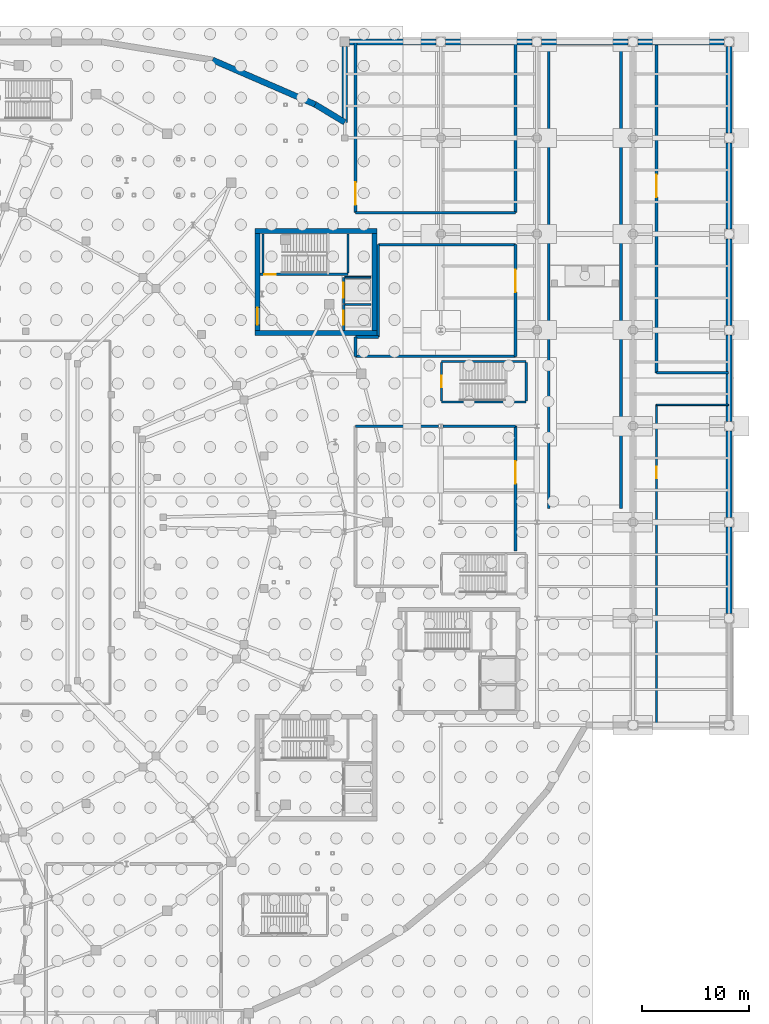
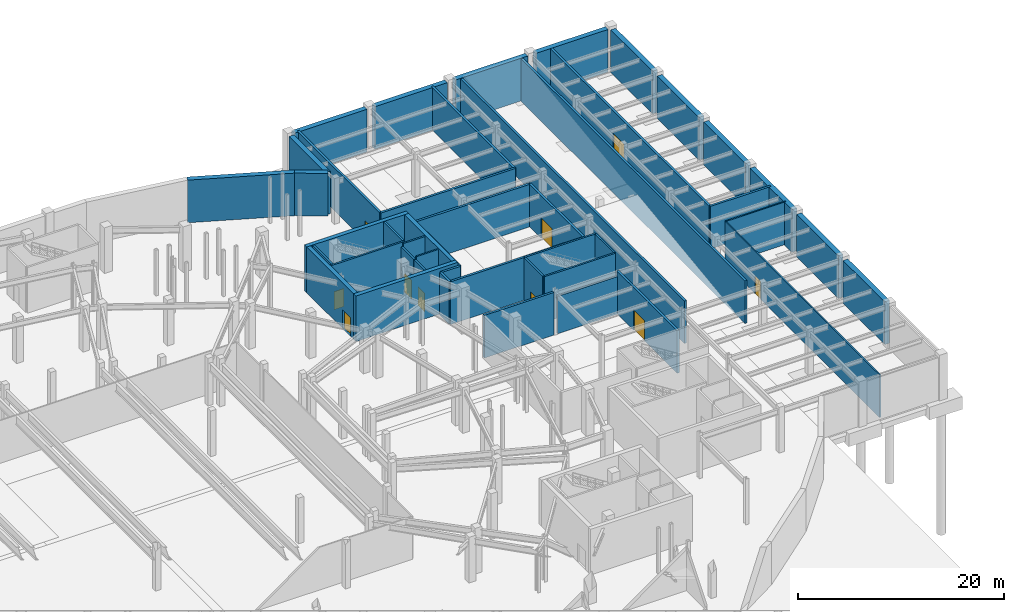
# One storey, part 48 of 56: 46 walls, 10 doors, 10 openings.
"""IFC4 building model written with IfcOpenShell, lengths in metres."""

import ifcopenshell
import ifcopenshell.guid

model = None  # the IFC model being written
_history = None  # IfcOwnerHistory: only IFC2X3 demands one
_inside = {}  # id of a spatial element -> (the spatial element, [elements in it])
_under = {}  # id of a project, library or spatial element -> (it, [spatial elements below it])
_declared = {}  # id of a project -> (the project, [libraries it declares])
_typed = {}  # id of a type object -> (the type object, [elements of that type])
_made_of = {}  # id of a material, layer set ... -> (it, [elements and type objects made of it])


def new_model(schema):
    """Start an empty IFC model of exactly this schema.

    Asked for "IFC4X3", IfcOpenShell would pick the latest addendum, in which some entities
    have other attributes; the version numbers below select the first issue.
    IFC2X3 requires an IfcOwnerHistory on every rooted entity: one is made here for all.
    """
    global model, _history
    if schema == "IFC4X3":
        model = ifcopenshell.file(schema_version=(4, 3, 0, 0))
    else:
        model = ifcopenshell.file(schema=schema)
    _inside.clear()
    _under.clear()
    _declared.clear()
    _typed.clear()
    _made_of.clear()
    _history = None
    if model.schema == "IFC2X3":
        org = make("IfcOrganization", Name="unknown")
        user = make(
            "IfcPersonAndOrganization",
            ThePerson=make("IfcPerson", FamilyName="unknown"),
            TheOrganization=org,
        )
        app = make(
            "IfcApplication",
            ApplicationDeveloper=org,
            Version="unknown",
            ApplicationFullName="unknown",
            ApplicationIdentifier="unknown",
        )
        _history = make(
            "IfcOwnerHistory",
            OwningUser=user,
            OwningApplication=app,
            ChangeAction="ADDED",
            CreationDate=0,
        )
    return model


def make(cls, **values):
    """One entity of the class cls with the attributes given. An attribute that is None is left unset."""
    return model.create_entity(
        cls, **{name: value for name, value in values.items() if value is not None}
    )


def rooted(cls, **values):
    """An entity with a GlobalId (a new one), such as an element, a storey or a relation."""
    return make(cls, GlobalId=ifcopenshell.guid.new(), OwnerHistory=_history, **values)


def si_unit(unit_type, name, prefix=None):
    """IfcSIUnit, for example si_unit("LENGTHUNIT", "METRE", prefix="MILLI")."""
    return make("IfcSIUnit", UnitType=unit_type, Prefix=prefix, Name=name)


def assignment(units):
    """IfcUnitAssignment: the units of a project."""
    return None if units is None else make("IfcUnitAssignment", Units=units)


def point(xyz):
    """IfcCartesianPoint."""
    return None if xyz is None else make("IfcCartesianPoint", Coordinates=xyz)


def direction(xyz):
    """IfcDirection."""
    return None if xyz is None else make("IfcDirection", DirectionRatios=xyz)


def frame(location, z_axis=None, x_axis=None):
    """IfcAxis2Placement3D, a coordinate frame: its origin and axes. An axis left out is left unset."""
    return make(
        "IfcAxis2Placement3D",
        Location=point(location),
        Axis=direction(z_axis),
        RefDirection=direction(x_axis),
    )


def frame_2d(location, x_axis=None):
    """IfcAxis2Placement2D, a coordinate frame in the plane: its origin and x axis."""
    return make(
        "IfcAxis2Placement2D", Location=point(location), RefDirection=direction(x_axis)
    )


def origin():
    """The frame at (0, 0, 0) with its axes left unset."""
    return frame((0.0, 0.0, 0.0))


def place(relative_to, where):
    """IfcLocalPlacement: puts the frame where relative to a parent placement (None: the world)."""
    return make(
        "IfcLocalPlacement", PlacementRelTo=relative_to, RelativePlacement=where
    )


def context(
    kind, dimensions, precision=None, world=None, true_north=None, identifier=None
):
    """IfcGeometricRepresentationContext, for example the 3D "Model" context."""
    return make(
        "IfcGeometricRepresentationContext",
        ContextIdentifier=identifier,
        ContextType=kind,
        CoordinateSpaceDimension=dimensions,
        Precision=precision,
        WorldCoordinateSystem=world,
        TrueNorth=true_north,
    )


def subcontext(parent, identifier, kind, view, scale=None):
    """IfcGeometricRepresentationSubContext, for example "Body" below "Model"."""
    return make(
        "IfcGeometricRepresentationSubContext",
        ContextIdentifier=identifier,
        ContextType=kind,
        ParentContext=parent,
        TargetScale=scale,
        TargetView=view,
    )


def project(units=None, contexts=None):
    """IfcProject with its units and contexts."""
    return rooted(
        "IfcProject",
        Name="project",
        RepresentationContexts=contexts,
        UnitsInContext=assignment(units),
    )


def spatial(cls, under=None, at=None, **own):
    """A site, building, storey or space (cls), placed at a placement, below another one or the project."""
    s = rooted(cls, ObjectPlacement=at, **own)
    if under is not None:
        _under.setdefault(under.id(), (under, []))[1].append(s)
    return s


def profile(cls, at=None, kind="AREA", **sizes):
    """A parametric profile (cls). Its sizes go by their IFC names, for example OverallWidth=200.0."""
    return make(cls, ProfileType=kind, Position=at, **sizes)


def rectangle(**sizes):
    """IfcRectangleProfileDef."""
    return profile("IfcRectangleProfileDef", **sizes)


def extrude(swept, where, along, depth):
    """IfcExtrudedAreaSolid: the profile swept, set in the frame where, extruded along a direction by depth."""
    return make(
        "IfcExtrudedAreaSolid",
        SweptArea=swept,
        Position=where,
        ExtrudedDirection=direction(along),
        Depth=depth,
    )


def shape(context_of_items, identifier, shape_type, items):
    """IfcShapeRepresentation: the items that make up one representation, for example the "Body"."""
    return make(
        "IfcShapeRepresentation",
        ContextOfItems=context_of_items,
        RepresentationIdentifier=identifier,
        RepresentationType=shape_type,
        Items=items,
    )


def material(Name=None, Category=None):
    """IfcMaterial."""
    return make("IfcMaterial", Name=Name, Category=Category)


def layer(
    of_material, thickness, ventilated=None, Name=None, Category=None, Priority=None
):
    """IfcMaterialLayer: one layer of a wall or slab, of a material (None: an air gap)."""
    return make(
        "IfcMaterialLayer",
        Material=of_material,
        LayerThickness=thickness,
        IsVentilated=ventilated,
        Name=Name,
        Category=Category,
        Priority=Priority,
    )


def layer_set(layers, Name=None):
    """IfcMaterialLayerSet."""
    return make("IfcMaterialLayerSet", MaterialLayers=layers, LayerSetName=Name)


def made_of(thing, what):
    """Note that an element or type object is made of a material, layer set ...; save() writes the relation."""
    if what is not None:
        _made_of.setdefault(what.id(), (what, []))[1].append(thing)
    return thing


def type_object(cls, material=None, **own):
    """A type object (cls), such as IfcWallType, which elements share."""
    return made_of(rooted(cls, **own), material)


def element(
    cls,
    number,
    at=None,
    inside=None,
    cuts=None,
    type_object=None,
    material=None,
    context=None,
    identifier="Body",
    shape_type=None,
    held_by="IfcProductDefinitionShape",
    body=None,
    shapes=None,
    **own,
):
    """One element of the class cls, such as IfcWall. Its Tag is "e" and its number.

    at: its placement. inside: the storey or other place that contains it. cuts: it is an
    opening in that element (IfcRelVoidsElement). A single representation is given by context,
    identifier, shape_type and body (its items); several are given by shapes. held_by: the class
    of the entity that holds the representations. save() writes the other relations.
    """
    e = rooted(cls, Tag="e%d" % number, ObjectPlacement=at, **own)
    if body is not None:
        shapes = [shape(context, identifier, shape_type, body)]
    if shapes is not None:
        e.Representation = make(held_by, Representations=shapes)
    if inside is not None:
        _inside.setdefault(inside.id(), (inside, []))[1].append(e)
    if cuts is not None:
        rooted(
            "IfcRelVoidsElement", RelatingBuildingElement=cuts, RelatedOpeningElement=e
        )
    if type_object is not None:
        _typed.setdefault(type_object.id(), (type_object, []))[1].append(e)
    return made_of(e, material)


def fill(opening, filler):
    """IfcRelFillsElement: the door or window that sits in an opening."""
    return rooted(
        "IfcRelFillsElement",
        RelatingOpeningElement=opening,
        RelatedBuildingElement=filler,
    )


def aggregate(whole, parts):
    """IfcRelAggregates: a whole, such as a stair, and the parts it consists of."""
    return rooted("IfcRelAggregates", RelatingObject=whole, RelatedObjects=parts)


def save(model, path):
    """Write the relations noted so far, then the file.

    IfcRelAggregates (storeys below a building ...), IfcRelContainedInSpatialStructure (elements
    in a storey), IfcRelDefinesByType, IfcRelAssociatesMaterial and IfcRelDeclares: one each for
    every whole, place, type object, material and project.
    """
    for whole, parts in _under.values():
        aggregate(whole, parts)
    for where, things in _inside.values():
        rooted(
            "IfcRelContainedInSpatialStructure",
            RelatedElements=things,
            RelatingStructure=where,
        )
    for kind, things in _typed.values():
        rooted("IfcRelDefinesByType", RelatedObjects=things, RelatingType=kind)
    for what, things in _made_of.values():
        rooted("IfcRelAssociatesMaterial", RelatedObjects=things, RelatingMaterial=what)
    for by, libraries in _declared.values():
        rooted("IfcRelDeclares", RelatingContext=by, RelatedDefinitions=libraries)
    model.write(path)


model = new_model("IFC4")

# Units and contexts
model_context = context("Model", 3, precision=1e-05, world=origin(), true_north=direction((0.0, 1.0)))
body_context = subcontext(model_context, "Body", "Model", "MODEL_VIEW")
ifc_project = project(units=[si_unit("LENGTHUNIT", "METRE"), si_unit("AREAUNIT", "SQUARE_METRE"), si_unit("VOLUMEUNIT", "CUBIC_METRE"), si_unit("PLANEANGLEUNIT", "RADIAN"), si_unit("MASSUNIT", "GRAM", prefix="KILO")], contexts=[model_context])

# Site, building, storey
site_placement = place(None, origin())
site = spatial("IfcSite", under=ifc_project, at=site_placement, CompositionType="ELEMENT")
building_placement = place(site_placement, origin())
building = spatial("IfcBuilding", under=site, at=building_placement, Name="Glasvene Arena", CompositionType="ELEMENT")
storey_placement = place(building_placement, frame((0.0, 0.0, -5.39990234375)))
storey = spatial("IfcBuildingStorey", under=building, at=storey_placement, Name="B1", CompositionType="ELEMENT", Elevation=-5.39990234375)

# Walls
ifc_material_1 = material(Name="Concrete C40/50", Category="concrete")
ifc_layer_1 = layer(ifc_material_1, 0.449951171875)
ifc_layer_set_1 = layer_set([ifc_layer_1], Name="Concrete C40/50")
wall_type_1 = type_object("IfcWallType", Name="WL-CORE-450", PredefinedType="SHEAR", material=ifc_layer_set_1)
for number, where, z_axis, x_axis, name in (
    (1, (129.60009765625, 90.72509765625, 0.0), (0.0, 0.0, 1.0), (1.0, 0.0, 0.0), "Core C2 North-East shear wall S B1"),
    (2, (129.60009765625, 100.27490234375, 0.0), (0.0, 0.0, 1.0), (1.0, 0.0, 0.0), "Core C2 North-East shear wall N B1"),
):
    element("IfcWall", number, at=place(storey_placement, frame(where, z_axis=z_axis, x_axis=x_axis)), inside=storey, type_object=wall_type_1, Name=name, PredefinedType="SHEAR", context=body_context, shape_type="SweptSolid", body=[
        extrude(rectangle(XDim=11.39990234375, YDim=0.449951171875, at=frame_2d((5.699951171875, 0.0))), origin(), (0.0, 0.0, 1.0), 5.39990234375),
    ])

# Wall, opening, door
wall_1_placement = place(storey_placement, frame((129.824951171875, 90.949951171875, 0.0), z_axis=(0.0, 0.0, 1.0), x_axis=(0.0, 1.0, 0.0)))
wall_1 = element("IfcWall", 3, at=wall_1_placement, inside=storey, type_object=wall_type_1, Name="Core C2 North-East shear wall W B1", PredefinedType="SHEAR", context=body_context, shape_type="SweptSolid", body=[
    extrude(rectangle(XDim=9.10009765625, YDim=0.449951171875, at=frame_2d((4.550048828125, 0.0))), origin(), (0.0, 0.0, 1.0), 5.39990234375),
])
opening_1_placement = place(wall_1_placement, frame((0.550048828125, 0.0, 0.0)))
opening_1 = element("IfcOpeningElement", 4, at=opening_1_placement, cuts=wall_1, Name="Opening D-02", PredefinedType="OPENING", context=body_context, shape_type="SweptSolid", body=[
    extrude(rectangle(XDim=1.60009765625, YDim=2.199951171875, at=frame_2d((0.800048828125, 1.10009765625))), frame((0.0, 0.23486328125, 0.0), z_axis=(0.0, -1.0, 0.0), x_axis=(1.0, 0.0, 0.0)), (0.0, 0.0, 1.0), 0.469970703125),
])
ifc_material_2 = material(Name="Painted fire-resisting steel", Category="steel")
door_type_1 = type_object("IfcDoorType", Name="DR-FD60-1600", OperationType="DOUBLE_DOOR_SINGLE_SWING", PredefinedType="DOOR", material=ifc_material_2)
door_1_placement = place(opening_1_placement, frame((1.60009765625, 0.0, 0.0), z_axis=(0.0, 0.0, 1.0), x_axis=(-1.0, 0.0, 0.0)))
door_1 = element("IfcDoor", 5, at=door_1_placement, inside=storey, type_object=door_type_1, Name="Core firefighting lobby concourse door C2-B1", OperationType="DOUBLE_DOOR_SINGLE_SWING", OverallHeight=2.199951171875, OverallWidth=1.60009765625, PredefinedType="DOOR", context=body_context, shape_type="SweptSolid", body=[
    extrude(rectangle(XDim=1.60009765625, YDim=2.199951171875, at=frame_2d((0.800048828125, 1.10009765625))), frame((0.0, 0.02490234375, 0.0), z_axis=(0.0, -1.0, 0.0), x_axis=(1.0, 0.0, 0.0)), (0.0, 0.0, 1.0), 0.050048828125),
])
fill(opening_1, door_1)

# Walls
wall_2_placement = place(storey_placement, frame((140.77490234375, 90.949951171875, 0.0), z_axis=(0.0, 0.0, 1.0), x_axis=(0.0, 1.0, 0.0)))
element("IfcWall", 6, at=wall_2_placement, inside=storey, type_object=wall_type_1, Name="Core C2 North-East shear wall E B1", PredefinedType="SHEAR", context=body_context, shape_type="SweptSolid", body=[
    extrude(rectangle(XDim=9.10009765625, YDim=0.449951171875, at=frame_2d((4.550048828125, 0.0))), origin(), (0.0, 0.0, 1.0), 5.39990234375),
])
ifc_layer_2 = layer(ifc_material_1, 0.25)
ifc_layer_set_2 = layer_set([ifc_layer_2], Name="Concrete C40/50")
wall_type_2 = type_object("IfcWallType", Name="WL-FIRE-250", PredefinedType="STANDARD", material=ifc_layer_set_2)
for number, where, z_axis, x_axis, name in (
    (7, (157.1201171875, 74.300048828125, 0.0), (0.0, 0.0, 1.0), (0.0, 1.0, 0.0), "Vehicle ramp fire enclosure wall B1-W"),
    (8, (163.8798828125, 74.300048828125, 0.0), (0.0, 0.0, 1.0), (0.0, 1.0, 0.0), "Vehicle ramp fire enclosure wall B1-E"),
):
    element("IfcWall", number, at=place(storey_placement, frame(where, z_axis=z_axis, x_axis=x_axis)), inside=storey, type_object=wall_type_2, Name=name, PredefinedType="STANDARD", context=body_context, shape_type="SweptSolid", body=[
        extrude(rectangle(XDim=43.349853515625, YDim=0.25, at=frame_2d((21.6748046875, 0.0))), origin(), (0.0, 0.0, 1.0), 5.039794921875),
    ])
wall_3_placement = place(storey_placement, frame((139.0, 82.0, 0.0), z_axis=(0.0, 0.0, 1.0), x_axis=(1.0, 0.0, 0.0)))
element("IfcWall", 9, at=wall_3_placement, inside=storey, type_object=wall_type_2, Name="Interior partition wall IW-B1-0059 (Central Heat Pump Chiller Plant)", PredefinedType="STANDARD", context=body_context, shape_type="SweptSolid", body=[
    extrude(rectangle(XDim=7.798583984375, YDim=0.25, at=frame_2d((3.8994140625, 0.0))), origin(), (0.0, 0.0, 1.0), 5.039794921875),
])
wall_4_placement = place(storey_placement, frame((147.201416015625, 82.0, 0.0), z_axis=(0.0, 0.0, 1.0), x_axis=(1.0, 0.0, 0.0)))
element("IfcWall", 10, at=wall_4_placement, inside=storey, type_object=wall_type_2, Name="Interior partition wall IW-B1-0060 (Central Heat Pump Chiller Plant)", PredefinedType="STANDARD", context=body_context, shape_type="SweptSolid", body=[
    extrude(rectangle(XDim=6.798583984375, YDim=0.25, at=frame_2d((3.3994140625, 0.0))), origin(), (0.0, 0.0, 1.0), 4.42724609375),
])

# Wall, opening, door
wall_5_placement = place(storey_placement, frame((154.0, 82.0, 0.0), z_axis=(0.0, 0.0, 1.0), x_axis=(0.0, -1.0, 0.0)))
wall_5 = element("IfcWall", 11, at=wall_5_placement, inside=storey, type_object=wall_type_2, Name="Interior partition wall IW-B1-0061 (Central Heat Pump Chiller Plant)", PredefinedType="STANDARD", context=body_context, shape_type="SweptSolid", body=[
    extrude(rectangle(XDim=11.699951171875, YDim=0.25, at=frame_2d((5.85009765625, 0.0))), origin(), (0.0, 0.0, 1.0), 5.039794921875),
])
opening_2_placement = place(wall_5_placement, frame((3.27001953125, 0.0, 0.0)))
opening_2 = element("IfcOpeningElement", 12, at=opening_2_placement, cuts=wall_5, Name="Opening D-10", PredefinedType="OPENING", context=body_context, shape_type="SweptSolid", body=[
    extrude(rectangle(XDim=2.10009765625, YDim=2.39990234375, at=frame_2d((1.050048828125, 1.199951171875))), frame((0.0, 0.135009765625, 0.0), z_axis=(0.0, -1.0, 0.0), x_axis=(1.0, 0.0, 0.0)), (0.0, 0.0, 1.0), 0.27001953125),
])
ifc_material_3 = material(Name="Galvanised acoustic steel", Category="steel")
door_type_2 = type_object("IfcDoorType", Name="DR-PLANT-2100", OperationType="DOUBLE_DOOR_SINGLE_SWING", PredefinedType="DOOR", material=ifc_material_3)
door_2_placement = place(opening_2_placement, origin())
door_2 = element("IfcDoor", 13, at=door_2_placement, inside=storey, type_object=door_type_2, Name="Interior door DR-PLANT-2100 (Central Heat Pump Chiller Plant)", OperationType="DOUBLE_DOOR_SINGLE_SWING", OverallHeight=2.39990234375, OverallWidth=2.10009765625, PredefinedType="DOOR", context=body_context, shape_type="SweptSolid", body=[
    extrude(rectangle(XDim=2.10009765625, YDim=2.39990234375, at=frame_2d((1.050048828125, 1.199951171875))), frame((0.0, 0.02490234375, 0.0), z_axis=(0.0, -1.0, 0.0), x_axis=(1.0, 0.0, 0.0)), (0.0, 0.0, 1.0), 0.050048828125),
])
fill(opening_2, door_2)

# Walls
wall_6_placement = place(storey_placement, frame((139.0, 90.35009765625, 0.0), z_axis=(0.0, 0.0, 1.0), x_axis=(1.0, 0.0, 0.0)))
element("IfcWall", 14, at=wall_6_placement, inside=storey, type_object=wall_type_2, Name="Interior partition wall IW-B1-0062 (10 kV Electrical Substation)", PredefinedType="STANDARD", context=body_context, shape_type="SweptSolid", body=[
    extrude(rectangle(XDim=2.14990234375, YDim=0.25, at=frame_2d((1.074951171875, 0.0))), origin(), (0.0, 0.0, 1.0), 5.039794921875),
])
wall_7_placement = place(storey_placement, frame((141.14990234375, 90.35009765625, 0.0), z_axis=(0.0, 0.0, 1.0), x_axis=(0.0, 1.0, 0.0)))
element("IfcWall", 15, at=wall_7_placement, inside=storey, type_object=wall_type_2, Name="Interior partition wall IW-B1-0063 (10 kV Electrical Substation)", PredefinedType="STANDARD", context=body_context, shape_type="SweptSolid", body=[
    extrude(rectangle(XDim=8.64990234375, YDim=0.25, at=frame_2d((4.324951171875, 0.0))), origin(), (0.0, 0.0, 1.0), 5.039794921875),
])
wall_8_placement = place(storey_placement, frame((141.14990234375, 99.0, 0.0), z_axis=(0.0, 0.0, 1.0), x_axis=(1.0, 0.0, 0.0)))
element("IfcWall", 16, at=wall_8_placement, inside=storey, type_object=wall_type_2, Name="Interior partition wall IW-B1-0064 (10 kV Electrical Substation)", PredefinedType="STANDARD", context=body_context, shape_type="SweptSolid", body=[
    extrude(rectangle(XDim=12.85009765625, YDim=0.25, at=frame_2d((6.425048828125, 0.0))), origin(), (0.0, 0.0, 1.0), 5.039794921875),
])

# Wall, opening, door
wall_9_placement = place(storey_placement, frame((154.0, 99.0, 0.0), z_axis=(0.0, 0.0, 1.0), x_axis=(0.0, -1.0, 0.0)))
wall_9 = element("IfcWall", 17, at=wall_9_placement, inside=storey, type_object=wall_type_2, Name="Interior partition wall IW-B1-0065 (10 kV Electrical Substation)", PredefinedType="STANDARD", context=body_context, shape_type="SweptSolid", body=[
    extrude(rectangle(XDim=10.449951171875, YDim=0.25, at=frame_2d((5.22509765625, 0.0))), origin(), (0.0, 0.0, 1.0), 5.039794921875),
])
opening_3_placement = place(wall_9_placement, frame((2.33203125, 0.0, 0.0)))
opening_3 = element("IfcOpeningElement", 18, at=opening_3_placement, cuts=wall_9, Name="Opening D-10", PredefinedType="OPENING", context=body_context, shape_type="SweptSolid", body=[
    extrude(rectangle(XDim=2.10009765625, YDim=2.39990234375, at=frame_2d((1.050048828125, 1.199951171875))), frame((0.0, 0.135009765625, 0.0), z_axis=(0.0, -1.0, 0.0), x_axis=(1.0, 0.0, 0.0)), (0.0, 0.0, 1.0), 0.27001953125),
])
door_3_placement = place(opening_3_placement, origin())
door_3 = element("IfcDoor", 19, at=door_3_placement, inside=storey, type_object=door_type_2, Name="Interior door DR-PLANT-2100 (10 kV Electrical Substation)", OperationType="DOUBLE_DOOR_SINGLE_SWING", OverallHeight=2.39990234375, OverallWidth=2.10009765625, PredefinedType="DOOR", context=body_context, shape_type="SweptSolid", body=[
    extrude(rectangle(XDim=2.10009765625, YDim=2.39990234375, at=frame_2d((1.050048828125, 1.199951171875))), frame((0.0, 0.02490234375, 0.0), z_axis=(0.0, -1.0, 0.0), x_axis=(1.0, 0.0, 0.0)), (0.0, 0.0, 1.0), 0.050048828125),
])
fill(opening_3, door_3)

# Walls
wall_10_placement = place(storey_placement, frame((154.0, 88.550048828125, 0.0), z_axis=(0.0, 0.0, 1.0), x_axis=(-1.0, 0.0, 0.0)))
element("IfcWall", 20, at=wall_10_placement, inside=storey, type_object=wall_type_2, Name="Interior partition wall IW-B1-0066 (10 kV Electrical Substation)", PredefinedType="STANDARD", context=body_context, shape_type="SweptSolid", body=[
    extrude(rectangle(XDim=15.0, YDim=0.25, at=frame_2d((7.5, 0.0))), origin(), (0.0, 0.0, 1.0), 5.039794921875),
])
wall_11_placement = place(storey_placement, frame((139.0, 88.550048828125, 0.0), z_axis=(0.0, 0.0, 1.0), x_axis=(0.0, 1.0, 0.0)))
element("IfcWall", 21, at=wall_11_placement, inside=storey, type_object=wall_type_2, Name="Interior partition wall IW-B1-0067 (10 kV Electrical Substation)", PredefinedType="STANDARD", context=body_context, shape_type="SweptSolid", body=[
    extrude(rectangle(XDim=1.800048828125, YDim=0.25, at=frame_2d((0.89990234375, 0.0))), origin(), (0.0, 0.0, 1.0), 5.039794921875),
])
wall_12_placement = place(storey_placement, frame((154.0, 102.0, 0.0), z_axis=(0.0, 0.0, 1.0), x_axis=(-1.0, 0.0, 0.0)))
element("IfcWall", 22, at=wall_12_placement, inside=storey, type_object=wall_type_2, Name="Interior partition wall IW-B1-0068 (Life-Safety Standby Power Hall)", PredefinedType="STANDARD", context=body_context, shape_type="SweptSolid", body=[
    extrude(rectangle(XDim=15.0, YDim=0.25, at=frame_2d((7.5, 0.0))), origin(), (0.0, 0.0, 1.0), 5.039794921875),
])

# Wall, opening, door
wall_13_placement = place(storey_placement, frame((139.0, 102.0, 0.0), z_axis=(0.0, 0.0, 1.0), x_axis=(0.0, 1.0, 0.0)))
wall_13 = element("IfcWall", 23, at=wall_13_placement, inside=storey, type_object=wall_type_2, Name="Interior partition wall IW-B1-0069 (Life-Safety Standby Power Hall)", PredefinedType="STANDARD", context=body_context, shape_type="SweptSolid", body=[
    extrude(rectangle(XDim=15.9599609375, YDim=0.25, at=frame_2d((7.97998046875, 0.0))), origin(), (0.0, 0.0, 1.0), 5.039794921875),
])
opening_4_placement = place(wall_13_placement, frame((0.73291015625, 0.0, 0.0)))
opening_4 = element("IfcOpeningElement", 24, at=opening_4_placement, cuts=wall_13, Name="Opening D-10", PredefinedType="OPENING", context=body_context, shape_type="SweptSolid", body=[
    extrude(rectangle(XDim=2.10009765625, YDim=2.39990234375, at=frame_2d((1.050048828125, 1.199951171875))), frame((0.0, 0.135009765625, 0.0), z_axis=(0.0, -1.0, 0.0), x_axis=(1.0, 0.0, 0.0)), (0.0, 0.0, 1.0), 0.27001953125),
])
door_4_placement = place(opening_4_placement, origin())
door_4 = element("IfcDoor", 25, at=door_4_placement, inside=storey, type_object=door_type_2, Name="Interior door DR-PLANT-2100 (Life-Safety Standby Power Hall)", OperationType="DOUBLE_DOOR_SINGLE_SWING", OverallHeight=2.39990234375, OverallWidth=2.10009765625, PredefinedType="DOOR", context=body_context, shape_type="SweptSolid", body=[
    extrude(rectangle(XDim=2.10009765625, YDim=2.39990234375, at=frame_2d((1.050048828125, 1.199951171875))), frame((0.0, 0.02490234375, 0.0), z_axis=(0.0, -1.0, 0.0), x_axis=(1.0, 0.0, 0.0)), (0.0, 0.0, 1.0), 0.050048828125),
])
fill(opening_4, door_4)

# Walls
wall_14_placement = place(storey_placement, frame((154.0, 117.9599609375, 0.0), z_axis=(0.0, 0.0, 1.0), x_axis=(0.0, -1.0, 0.0)))
element("IfcWall", 26, at=wall_14_placement, inside=storey, type_object=wall_type_2, Name="Interior partition wall IW-B1-0070 (Life-Safety Standby Power Hall)", PredefinedType="STANDARD", context=body_context, shape_type="SweptSolid", body=[
    extrude(rectangle(XDim=15.9599609375, YDim=0.25, at=frame_2d((7.97998046875, 0.0))), origin(), (0.0, 0.0, 1.0), 5.039794921875),
])
wall_15_placement = place(storey_placement, frame((173.9599609375, 87.0, 0.0), z_axis=(0.0, 0.0, 1.0), x_axis=(-1.0, 0.0, 0.0)))
element("IfcWall", 27, at=wall_15_placement, inside=storey, type_object=wall_type_2, Name="Interior partition wall IW-B1-0073 (Main Switchroom and BMS Control)", PredefinedType="STANDARD", context=body_context, shape_type="SweptSolid", body=[
    extrude(rectangle(XDim=6.760009765625, YDim=0.25, at=frame_2d((3.3798828125, 0.0))), origin(), (0.0, 0.0, 1.0), 5.039794921875),
])

# Wall, opening, door
wall_16_placement = place(storey_placement, frame((167.199951171875, 87.0, 0.0), z_axis=(0.0, 0.0, 1.0), x_axis=(0.0, 1.0, 0.0)))
wall_16 = element("IfcWall", 28, at=wall_16_placement, inside=storey, type_object=wall_type_2, Name="Interior partition wall IW-B1-0074 (Main Switchroom and BMS Control)", PredefinedType="STANDARD", context=body_context, shape_type="SweptSolid", body=[
    extrude(rectangle(XDim=30.9599609375, YDim=0.25, at=frame_2d((15.47998046875, 0.0))), origin(), (0.0, 0.0, 1.0), 5.039794921875),
])
opening_5_placement = place(wall_16_placement, frame((16.4619140625, 0.0, 0.0)))
opening_5 = element("IfcOpeningElement", 29, at=opening_5_placement, cuts=wall_16, Name="Opening D-10", PredefinedType="OPENING", context=body_context, shape_type="SweptSolid", body=[
    extrude(rectangle(XDim=2.10009765625, YDim=2.39990234375, at=frame_2d((1.050048828125, 1.199951171875))), frame((0.0, 0.135009765625, 0.0), z_axis=(0.0, -1.0, 0.0), x_axis=(1.0, 0.0, 0.0)), (0.0, 0.0, 1.0), 0.27001953125),
])
door_5_placement = place(opening_5_placement, origin())
door_5 = element("IfcDoor", 30, at=door_5_placement, inside=storey, type_object=door_type_2, Name="Interior door DR-PLANT-2100 (Main Switchroom and BMS Control)", OperationType="DOUBLE_DOOR_SINGLE_SWING", OverallHeight=2.39990234375, OverallWidth=2.10009765625, PredefinedType="DOOR", context=body_context, shape_type="SweptSolid", body=[
    extrude(rectangle(XDim=2.10009765625, YDim=2.39990234375, at=frame_2d((1.050048828125, 1.199951171875))), frame((0.0, 0.02490234375, 0.0), z_axis=(0.0, -1.0, 0.0), x_axis=(1.0, 0.0, 0.0)), (0.0, 0.0, 1.0), 0.050048828125),
])
fill(opening_5, door_5)

ifc_material_4 = material(Name="Insulated acoustic metal-stud partition")
ifc_layer_3 = layer(ifc_material_4, 0.14990234375)
ifc_layer_set_3 = layer_set([ifc_layer_3], Name="Insulated acoustic metal-stud partition")
wall_type_3 = type_object("IfcWallType", Name="WL-PART-150", PredefinedType="PARTITIONING", material=ifc_layer_set_3)
wall_17_placement = place(storey_placement, frame((167.199951171875, 54.0400390625, 0.0), z_axis=(0.0, 0.0, 1.0), x_axis=(0.0, 1.0, 0.0)))
wall_17 = element("IfcWall", 31, at=wall_17_placement, inside=storey, type_object=wall_type_3, Name="Interior partition wall IW-B1-0071 (Basement Rigging and Production Store)", PredefinedType="PARTITIONING", context=body_context, shape_type="SweptSolid", body=[
    extrude(rectangle(XDim=29.9599609375, YDim=0.14990234375, at=frame_2d((14.97998046875, 0.0))), origin(), (0.0, 0.0, 1.0), 5.039794921875),
])
opening_6_placement = place(wall_17_placement, frame((23.094970703125, 0.0, 0.0)))
opening_6 = element("IfcOpeningElement", 32, at=opening_6_placement, cuts=wall_17, Name="Opening D-05", PredefinedType="OPENING", context=body_context, shape_type="SweptSolid", body=[
    extrude(rectangle(XDim=1.050048828125, YDim=2.14990234375, at=frame_2d((0.52490234375, 1.074951171875))), frame((0.0, 0.0849609375, 0.0), z_axis=(0.0, -1.0, 0.0), x_axis=(1.0, 0.0, 0.0)), (0.0, 0.0, 1.0), 0.169921875),
])
door_type_3 = type_object("IfcDoorType", Name="DR-FD60-1050", OperationType="NOTDEFINED", PredefinedType="DOOR", material=ifc_material_2)
door_6_placement = place(opening_6_placement, origin())
door_6 = element("IfcDoor", 33, at=door_6_placement, inside=storey, type_object=door_type_3, Name="Interior door DR-FD60-1050 (Basement Rigging and Production Store)", OperationType="SINGLE_SWING_RIGHT", OverallHeight=2.14990234375, OverallWidth=1.050048828125, PredefinedType="DOOR", context=body_context, shape_type="SweptSolid", body=[
    extrude(rectangle(XDim=1.050048828125, YDim=2.14990234375, at=frame_2d((0.52490234375, 1.074951171875))), frame((0.0, 0.02490234375, 0.0), z_axis=(0.0, -1.0, 0.0), x_axis=(1.0, 0.0, 0.0)), (0.0, 0.0, 1.0), 0.050048828125),
])
fill(opening_6, door_6)

# Walls
wall_18_placement = place(storey_placement, frame((167.199951171875, 84.0, 0.0), z_axis=(0.0, 0.0, 1.0), x_axis=(1.0, 0.0, 0.0)))
element("IfcWall", 34, at=wall_18_placement, inside=storey, type_object=wall_type_3, Name="Interior partition wall IW-B1-0072 (Basement Rigging and Production Store)", PredefinedType="PARTITIONING", context=body_context, shape_type="SweptSolid", body=[
    extrude(rectangle(XDim=6.760009765625, YDim=0.14990234375, at=frame_2d((3.3798828125, 0.0))), origin(), (0.0, 0.0, 1.0), 5.039794921875),
])
ifc_layer_4 = layer(ifc_material_1, 0.550048828125)
ifc_layer_set_4 = layer_set([ifc_layer_4], Name="Concrete C40/50")
wall_type_4 = type_object("IfcWallType", Name="WL-RET-550", PredefinedType="SOLIDWALL", material=ifc_layer_set_4)
wall_19_placement = place(storey_placement, frame((125.619140625, 116.3076171875, 0.0), z_axis=(0.0, 0.0, 1.0), x_axis=(0.917436013805, -0.397883350461, 0.0)))
element("IfcWall", 35, at=wall_19_placement, inside=storey, type_object=wall_type_4, Name="Basement retaining wall B1-027", PredefinedType="SOLIDWALL", context=body_context, shape_type="SweptSolid", body=[
    extrude(rectangle(XDim=10.478515625, YDim=0.550048828125, at=frame_2d((5.2392578125, 0.0))), origin(), (0.0, 0.0, 1.0), 5.039794921875),
])
wall_20_placement = place(storey_placement, frame((135.232421875, 112.138427734375, 0.0), z_axis=(0.0, 0.0, 1.0), x_axis=(0.855809711202, -0.517290767569, 0.0)))
element("IfcWall", 36, at=wall_20_placement, inside=storey, type_object=wall_type_4, Name="Basement retaining wall B1-028", PredefinedType="SOLIDWALL", context=body_context, shape_type="SweptSolid", body=[
    extrude(rectangle(XDim=3.23388671875, YDim=0.550048828125, at=frame_2d((1.616943359375, 0.0))), origin(), (0.0, 0.0, 1.0), 5.039794921875),
])
wall_21_placement = place(storey_placement, frame((138.0, 110.465576171875, 0.0), z_axis=(0.0, 0.0, 1.0), x_axis=(0.0, 1.0, 0.0)))
element("IfcWall", 37, at=wall_21_placement, inside=storey, type_object=wall_type_4, Name="Basement retaining wall B1-029", PredefinedType="SOLIDWALL", context=body_context, shape_type="SweptSolid", body=[
    extrude(rectangle(XDim=7.08251953125, YDim=0.550048828125, at=frame_2d((3.541259765625, 0.0))), origin(), (0.0, 0.0, 1.0), 5.039794921875),
])
for number, where, z_axis, x_axis, name in (
    (38, (138.451904296875, 118.0, 0.0), (0.0, 0.0, 1.0), (1.0, 0.0, 0.0), "Basement retaining wall B1-030"),
    (39, (147.451904296875, 118.0, 0.0), (0.0, 0.0, 1.0), (1.0, 0.0, 0.0), "Basement retaining wall B1-031"),
    (40, (156.451904296875, 118.0, 0.0), (0.0, 0.0, 1.0), (1.0, 0.0, 0.0), "Basement retaining wall B1-032"),
    (41, (165.451904296875, 118.0, 0.0), (0.0, 0.0, 1.0), (1.0, 0.0, 0.0), "Basement retaining wall B1-033"),
    (42, (174.0, 117.548095703125, 0.0), (0.0, 0.0, 1.0), (0.0, -1.0, 0.0), "Basement retaining wall B1-034"),
    (43, (174.0, 108.548095703125, 0.0), (0.0, 0.0, 1.0), (0.0, -1.0, 0.0), "Basement retaining wall B1-035"),
    (44, (174.0, 99.548095703125, 0.0), (0.0, 0.0, 1.0), (0.0, -1.0, 0.0), "Basement retaining wall B1-036"),
    (45, (174.0, 90.548095703125, 0.0), (0.0, 0.0, 1.0), (0.0, -1.0, 0.0), "Basement retaining wall B1-037"),
    (46, (174.0, 81.548095703125, 0.0), (0.0, 0.0, 1.0), (0.0, -1.0, 0.0), "Basement retaining wall B1-038"),
    (47, (174.0, 72.548095703125, 0.0), (0.0, 0.0, 1.0), (0.0, -1.0, 0.0), "Basement retaining wall B1-039"),
):
    element("IfcWall", number, at=place(storey_placement, frame(where, z_axis=z_axis, x_axis=x_axis)), inside=storey, type_object=wall_type_4, Name=name, PredefinedType="SOLIDWALL", context=body_context, shape_type="SweptSolid", body=[
        extrude(rectangle(XDim=8.09619140625, YDim=0.550048828125, at=frame_2d((4.048095703125, 0.0))), origin(), (0.0, 0.0, 1.0), 5.039794921875),
    ])

# Wall, opening, door
ifc_layer_5 = layer(ifc_material_1, 0.199951171875)
ifc_layer_set_5 = layer_set([ifc_layer_5], Name="Concrete C40/50")
wall_type_5 = type_object("IfcWallType", Name="WL-SHAFT-200", PredefinedType="SHEAR", material=ifc_layer_set_5)
wall_22_placement = place(storey_placement, frame((137.89990234375, 90.949951171875, 0.0), z_axis=(0.0, 0.0, 1.0), x_axis=(0.0, 1.0, 0.0)))
wall_22 = element("IfcWall", 48, at=wall_22_placement, inside=storey, type_object=wall_type_5, Name="Lift shaft front wall FFL-02 B1", PredefinedType="SHEAR", context=body_context, shape_type="SweptSolid", body=[
    extrude(rectangle(XDim=2.449951171875, YDim=0.199951171875, at=frame_2d((1.22509765625, 0.0))), origin(), (0.0, 0.0, 1.0), 5.039794921875),
])
opening_7_placement = place(wall_22_placement, frame((0.574951171875, 0.0, 0.0)))
opening_7 = element("IfcOpeningElement", 49, at=opening_7_placement, cuts=wall_22, Name="Opening LD-FF", PredefinedType="OPENING", context=body_context, shape_type="SweptSolid", body=[
    extrude(rectangle(XDim=1.300048828125, YDim=2.199951171875, at=frame_2d((0.64990234375, 1.10009765625))), frame((0.0, 0.10986328125, 0.0), z_axis=(0.0, -1.0, 0.0), x_axis=(1.0, 0.0, 0.0)), (0.0, 0.0, 1.0), 0.219970703125),
])
ifc_material_5 = material(Name="Brushed stainless steel", Category="steel")
door_type_4 = type_object("IfcDoorType", Name="LD-FFL-1300", OperationType="DOUBLE_DOOR_SLIDING", PredefinedType="DOOR", material=ifc_material_5)
door_7_placement = place(opening_7_placement, origin())
door_7 = element("IfcDoor", 50, at=door_7_placement, inside=storey, type_object=door_type_4, Name="Lift sliding landing door LD-FFL-02-B1", OperationType="DOUBLE_DOOR_SLIDING", OverallHeight=2.199951171875, OverallWidth=1.300048828125, PredefinedType="DOOR", context=body_context, shape_type="SweptSolid", body=[
    extrude(rectangle(XDim=1.300048828125, YDim=2.199951171875, at=frame_2d((0.64990234375, 1.10009765625))), frame((0.0, 0.02490234375, 0.0), z_axis=(0.0, -1.0, 0.0), x_axis=(1.0, 0.0, 0.0)), (0.0, 0.0, 1.0), 0.050048828125),
])
fill(opening_7, door_7)

wall_23_placement = place(storey_placement, frame((137.89990234375, 93.5, 0.0), z_axis=(0.0, 0.0, 1.0), x_axis=(0.0, 1.0, 0.0)))
wall_23 = element("IfcWall", 51, at=wall_23_placement, inside=storey, type_object=wall_type_5, Name="Lift shaft front wall PL-02 B1", PredefinedType="SHEAR", context=body_context, shape_type="SweptSolid", body=[
    extrude(rectangle(XDim=2.449951171875, YDim=0.199951171875, at=frame_2d((1.22509765625, 0.0))), origin(), (0.0, 0.0, 1.0), 5.039794921875),
])
opening_8_placement = place(wall_23_placement, frame((0.52490234375, 0.0, 0.0)))
opening_8 = element("IfcOpeningElement", 52, at=opening_8_placement, cuts=wall_23, Name="Opening LD-PL", PredefinedType="OPENING", context=body_context, shape_type="SweptSolid", body=[
    extrude(rectangle(XDim=1.39990234375, YDim=2.199951171875, at=frame_2d((0.699951171875, 1.10009765625))), frame((0.0, 0.10986328125, 0.0), z_axis=(0.0, -1.0, 0.0), x_axis=(1.0, 0.0, 0.0)), (0.0, 0.0, 1.0), 0.219970703125),
])
door_type_5 = type_object("IfcDoorType", Name="LD-PL-1400", OperationType="DOUBLE_DOOR_SLIDING", PredefinedType="DOOR", material=ifc_material_5)
door_8_placement = place(opening_8_placement, origin())
door_8 = element("IfcDoor", 53, at=door_8_placement, inside=storey, type_object=door_type_5, Name="Lift sliding landing door LD-PL-02-B1", OperationType="DOUBLE_DOOR_SLIDING", OverallHeight=2.199951171875, OverallWidth=1.39990234375, PredefinedType="DOOR", context=body_context, shape_type="SweptSolid", body=[
    extrude(rectangle(XDim=1.39990234375, YDim=2.199951171875, at=frame_2d((0.699951171875, 1.10009765625))), frame((0.0, 0.02490234375, 0.0), z_axis=(0.0, -1.0, 0.0), x_axis=(1.0, 0.0, 0.0)), (0.0, 0.0, 1.0), 0.050048828125),
])
fill(opening_8, door_8)

wall_24_placement = place(storey_placement, frame((130.052001953125, 96.22998046875, 0.0), z_axis=(0.0, 0.0, 1.0), x_axis=(1.0, 0.0, 0.0)))
wall_24 = element("IfcWall", 54, at=wall_24_placement, inside=storey, type_object=wall_type_5, Name="Escape stair shaft wall ST-02 B1 S", PredefinedType="SHEAR", context=body_context, shape_type="SweptSolid", body=[
    extrude(rectangle(XDim=8.248046875, YDim=0.199951171875, at=frame_2d((4.1240234375, 0.0))), origin(), (0.0, 0.0, 1.0), 5.39990234375),
])
opening_9_placement = place(wall_24_placement, frame((0.39990234375, 0.0, 0.0)))
opening_9 = element("IfcOpeningElement", 55, at=opening_9_placement, cuts=wall_24, Name="Opening D-04", PredefinedType="OPENING", context=body_context, shape_type="SweptSolid", body=[
    extrude(rectangle(XDim=1.10009765625, YDim=2.14990234375, at=frame_2d((0.550048828125, 1.074951171875))), frame((0.0, 0.10986328125, 0.0), z_axis=(0.0, -1.0, 0.0), x_axis=(1.0, 0.0, 0.0)), (0.0, 0.0, 1.0), 0.219970703125),
])
door_type_6 = type_object("IfcDoorType", Name="DR-FD60-1100", OperationType="NOTDEFINED", PredefinedType="DOOR", material=ifc_material_2)
door_9_placement = place(opening_9_placement, frame((1.10009765625, 0.0, 0.0), z_axis=(0.0, 0.0, 1.0), x_axis=(-1.0, 0.0, 0.0)))
door_9 = element("IfcDoor", 56, at=door_9_placement, inside=storey, type_object=door_type_6, Name="Protected escape stair door ST-02 B1", OperationType="SINGLE_SWING_LEFT", OverallHeight=2.14990234375, OverallWidth=1.10009765625, PredefinedType="DOOR", context=body_context, shape_type="SweptSolid", body=[
    extrude(rectangle(XDim=1.10009765625, YDim=2.14990234375, at=frame_2d((0.550048828125, 1.074951171875))), frame((0.0, 0.02490234375, 0.0), z_axis=(0.0, -1.0, 0.0), x_axis=(1.0, 0.0, 0.0)), (0.0, 0.0, 1.0), 0.050048828125),
])
fill(opening_9, door_9)

# Walls
for number, where, z_axis, x_axis, name in (
    (57, (130.35009765625, 96.33203125, 0.0), (0.0, 0.0, 1.0), (0.0, 1.0, 0.0), "Escape stair shaft wall ST-02 B1 W"),
    (58, (138.300048828125, 96.33203125, 0.0), (0.0, 0.0, 1.0), (0.0, 1.0, 0.0), "Escape stair shaft wall ST-02 B1 E"),
):
    element("IfcWall", number, at=place(storey_placement, frame(where, z_axis=z_axis, x_axis=x_axis)), inside=storey, type_object=wall_type_5, Name=name, PredefinedType="SHEAR", context=body_context, shape_type="SweptSolid", body=[
        extrude(rectangle(XDim=3.68603515625, YDim=0.199951171875, at=frame_2d((1.843017578125, 0.0))), origin(), (0.0, 0.0, 1.0), 5.39990234375),
    ])
wall_25_placement = place(storey_placement, frame((147.050048828125, 84.280029296875, 0.0), z_axis=(0.0, 0.0, 1.0), x_axis=(1.0, 0.0, 0.0)))
element("IfcWall", 59, at=wall_25_placement, inside=storey, type_object=wall_type_5, Name="Escape stair shaft wall ST-B05 B1 S", PredefinedType="SHEAR", context=body_context, shape_type="SweptSolid", body=[
    extrude(rectangle(XDim=7.949951171875, YDim=0.199951171875, at=frame_2d((3.97509765625, 0.0))), origin(), (0.0, 0.0, 1.0), 5.39990234375),
])

# Wall, opening, door
wall_26_placement = place(storey_placement, frame((147.050048828125, 84.382080078125, 0.0), z_axis=(0.0, 0.0, 1.0), x_axis=(0.0, 1.0, 0.0)))
wall_26 = element("IfcWall", 60, at=wall_26_placement, inside=storey, type_object=wall_type_5, Name="Escape stair shaft wall ST-B05 B1 W", PredefinedType="SHEAR", context=body_context, shape_type="SweptSolid", body=[
    extrude(rectangle(XDim=3.5859375, YDim=0.199951171875, at=frame_2d((1.79296875, 0.0))), origin(), (0.0, 0.0, 1.0), 5.39990234375),
])
opening_10_placement = place(wall_26_placement, frame((1.242919921875, 0.0, 0.0)))
opening_10 = element("IfcOpeningElement", 61, at=opening_10_placement, cuts=wall_26, Name="Opening D-04", PredefinedType="OPENING", context=body_context, shape_type="SweptSolid", body=[
    extrude(rectangle(XDim=1.10009765625, YDim=2.14990234375, at=frame_2d((0.550048828125, 1.074951171875))), frame((0.0, 0.10986328125, 0.0), z_axis=(0.0, -1.0, 0.0), x_axis=(1.0, 0.0, 0.0)), (0.0, 0.0, 1.0), 0.219970703125),
])
door_10_placement = place(opening_10_placement, frame((1.10009765625, 0.0, 0.0), z_axis=(0.0, 0.0, 1.0), x_axis=(-1.0, 0.0, 0.0)))
door_10 = element("IfcDoor", 62, at=door_10_placement, inside=storey, type_object=door_type_6, Name="Protected escape stair door ST-B05 B1", OperationType="SINGLE_SWING_RIGHT", OverallHeight=2.14990234375, OverallWidth=1.10009765625, PredefinedType="DOOR", context=body_context, shape_type="SweptSolid", body=[
    extrude(rectangle(XDim=1.10009765625, YDim=2.14990234375, at=frame_2d((0.550048828125, 1.074951171875))), frame((0.0, 0.02490234375, 0.0), z_axis=(0.0, -1.0, 0.0), x_axis=(1.0, 0.0, 0.0)), (0.0, 0.0, 1.0), 0.050048828125),
])
fill(opening_10, door_10)

# Walls
wall_27_placement = place(storey_placement, frame((155.0, 84.382080078125, 0.0), z_axis=(0.0, 0.0, 1.0), x_axis=(0.0, 1.0, 0.0)))
element("IfcWall", 63, at=wall_27_placement, inside=storey, type_object=wall_type_5, Name="Escape stair shaft wall ST-B05 B1 E", PredefinedType="SHEAR", context=body_context, shape_type="SweptSolid", body=[
    extrude(rectangle(XDim=3.5859375, YDim=0.199951171875, at=frame_2d((1.79296875, 0.0))), origin(), (0.0, 0.0, 1.0), 5.39990234375),
])
wall_28_placement = place(storey_placement, frame((147.050048828125, 88.070068359375, 0.0), z_axis=(0.0, 0.0, 1.0), x_axis=(1.0, 0.0, 0.0)))
element("IfcWall", 64, at=wall_28_placement, inside=storey, type_object=wall_type_5, Name="Escape stair shaft wall ST-B05 B1 N", PredefinedType="SHEAR", context=body_context, shape_type="SweptSolid", body=[
    extrude(rectangle(XDim=7.949951171875, YDim=0.199951171875, at=frame_2d((3.97509765625, 0.0))), origin(), (0.0, 0.0, 1.0), 5.39990234375),
])
ifc_material_6 = material(Name="Moisture-resistant masonry blockwork", Category="masonry")
ifc_layer_6 = layer(ifc_material_6, 0.179931640625)
ifc_layer_set_6 = layer_set([ifc_layer_6], Name="Moisture-resistant masonry blockwork")
wall_type_6 = type_object("IfcWallType", Name="WL-WET-180", PredefinedType="PARTITIONING", material=ifc_layer_set_6)
for number, where, z_axis, x_axis, name in (
    (65, (138.0, 93.39990234375, 0.0), (0.0, 0.0, 1.0), (1.0, 0.0, 0.0), "Lift shaft divider wall C2 B1"),
    (66, (138.0, 95.949951171875, 0.0), (0.0, 0.0, 1.0), (1.0, 0.0, 0.0), "Lift shaft north enclosure wall C2 B1"),
):
    element("IfcWall", number, at=place(storey_placement, frame(where, z_axis=z_axis, x_axis=x_axis)), inside=storey, type_object=wall_type_6, Name=name, PredefinedType="PARTITIONING", context=body_context, shape_type="SweptSolid", body=[
        extrude(rectangle(XDim=2.449951171875, YDim=0.179931640625, at=frame_2d((1.22509765625, 0.0))), origin(), (0.0, 0.0, 1.0), 5.39990234375),
    ])

save(model, "model.ifc")
